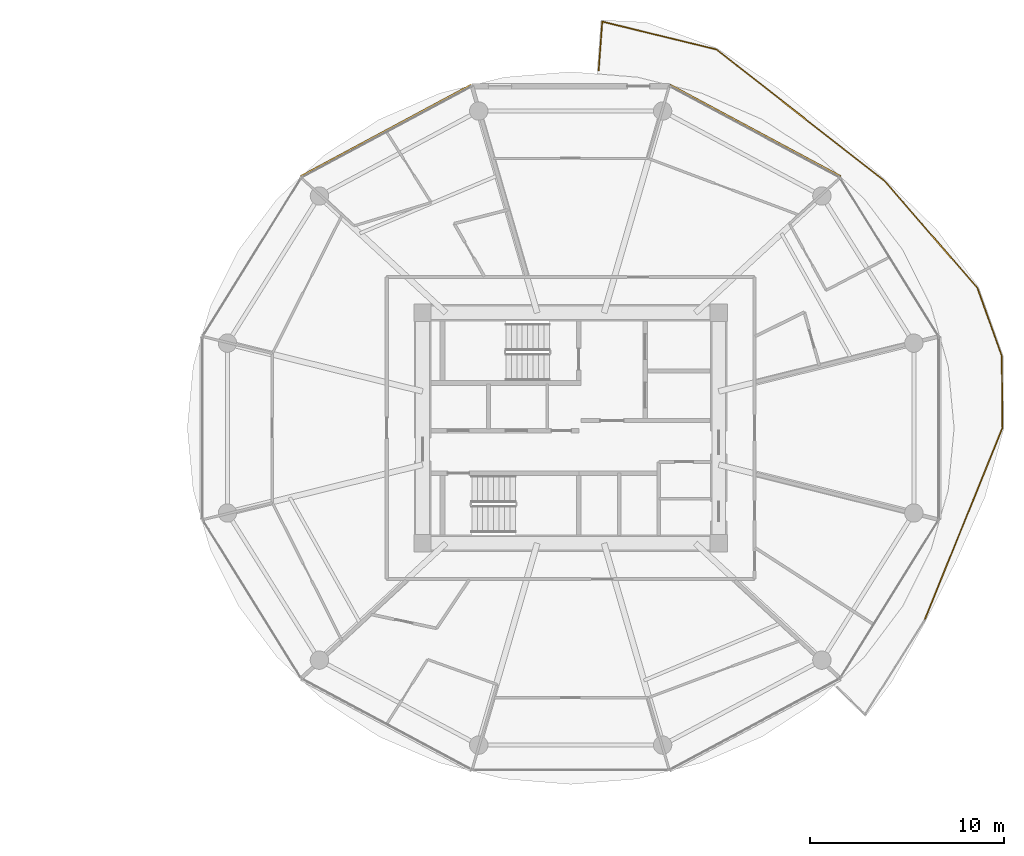
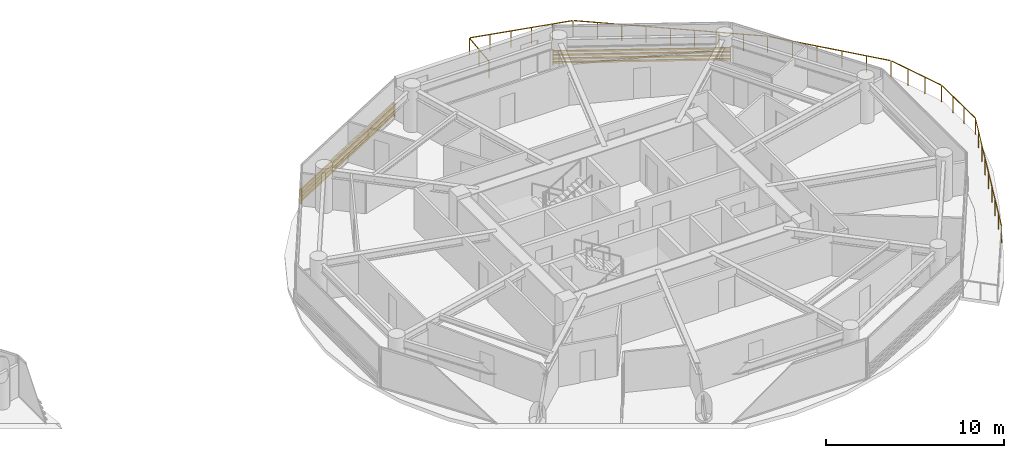
# One storey, part 28 of 28: 2 shading devices, 1 railing.
"""IFC4 building model written with IfcOpenShell, lengths in metres."""

from ifc_helpers import new_model, si_unit, direction, frame, origin, origin_2d, place, context, subcontext, project, spatial, rectangle, extrude, source, transform, mapped, material, type_object, type_shapes, element, save


model = new_model("IFC4")

# Units and contexts
model_context = context("Model", 3, precision=1e-05, world=origin(), true_north=direction((0.0, 1.0)))
body_context = subcontext(model_context, "Body", "Model", "MODEL_VIEW")
ifc_project = project(units=[si_unit("LENGTHUNIT", "METRE"), si_unit("AREAUNIT", "SQUARE_METRE"), si_unit("VOLUMEUNIT", "CUBIC_METRE"), si_unit("PLANEANGLEUNIT", "RADIAN"), si_unit("MASSUNIT", "GRAM", prefix="KILO")], contexts=[model_context])

# Site, building, storey
site_placement = place(None, origin())
site = spatial("IfcSite", under=ifc_project, at=site_placement, CompositionType="ELEMENT")
building_placement = place(site_placement, origin())
building = spatial("IfcBuilding", under=site, at=building_placement, Name="Norrkilde Senior Care Towers", CompositionType="ELEMENT")
storey_placement = place(building_placement, frame((0.0, 0.0, 39.89990234375)))
storey = spatial("IfcBuildingStorey", under=building, at=storey_placement, Name="L11", CompositionType="ELEMENT", Elevation=39.89990234375)

# Railing
ifc_material_1 = material(Name="Anodised Aluminium", Category="aluminium")
railing_type = type_object("IfcRailingType", Name="Balcony Swirl Ribbon Guardrail 1150", PredefinedType="GUARDRAIL", material=ifc_material_1)
railing_placement = place(storey_placement, frame((29.4453125, 18.463134765625, 0.0)))
element("IfcRailing", 1, at=railing_placement, inside=storey, type_object=railing_type, Name="L11 Perimeter Safety Guard 02", PredefinedType="GUARDRAIL", context=body_context, shape_type="SweptSolid", body=[
    extrude(rectangle(XDim=0.048095703125, YDim=0.048095703125, at=origin_2d()), frame((0.0, 0.0, 1.1259765625), z_axis=(0.073765269761, 0.997275631396, 0.0), x_axis=(-0.997275631396, 0.073765269761, 0.0)), (0.0, 0.0, 1.0), 2.494384765625),
    extrude(rectangle(XDim=0.048095703125, YDim=0.048095703125, at=origin_2d()), frame((0.226806640625, 2.5185546875, 1.1259765625), z_axis=(0.971488467961, -0.23708681241, 0.0), x_axis=(0.23708681241, 0.971488467961, 0.0)), (0.0, 0.0, 1.0), 5.984619140625),
    extrude(rectangle(XDim=0.048095703125, YDim=0.048095703125, at=origin_2d()), frame((6.112548828125, 1.06494140625, 1.1259765625), z_axis=(0.787858533367, -0.615856258716, 0.0), x_axis=(0.615856258716, 0.787858533367, 0.0)), (0.0, 0.0, 1.0), 10.945556640625),
    extrude(rectangle(XDim=0.048095703125, YDim=0.048095703125, at=origin_2d()), frame((14.795166015625, -5.732177734375, 1.1259765625), z_axis=(0.655198154144, -0.755457066157, 0.0), x_axis=(0.755457066157, 0.655198154144, 0.0)), (0.0, 0.0, 1.0), 7.245361328125),
    extrude(rectangle(XDim=0.048095703125, YDim=0.048095703125, at=origin_2d()), frame((19.582763671875, -11.275146484375, 1.1259765625), z_axis=(0.336402874895, -0.941718166843, 0.0), x_axis=(0.941718166843, 0.336402874895, 0.0)), (0.0, 0.0, 1.0), 3.640625),
    extrude(rectangle(XDim=0.048095703125, YDim=0.048095703125, at=origin_2d()), frame((20.82177734375, -14.78271484375, 1.1259765625), z_axis=(0.009144956088, -0.999958184015, 0.0), x_axis=(0.999958184015, 0.009144956088, 0.0)), (0.0, 0.0, 1.0), 3.629150390625),
    extrude(rectangle(XDim=0.048095703125, YDim=0.048095703125, at=origin_2d()), frame((20.83984375, -18.490478515625, 1.1259765625), z_axis=(-0.375574869178, -0.92679205739, 0.0), x_axis=(0.92679205739, -0.375574869178, 0.0)), (0.0, 0.0, 1.0), 10.663330078125),
    extrude(rectangle(XDim=0.0419921875, YDim=0.0419921875, at=origin_2d()), origin(), (0.0, 0.0, 1.0), 1.099853515625),
    extrude(rectangle(XDim=0.0419921875, YDim=0.0419921875, at=origin_2d()), frame((0.093505859375, 1.26416015625, 0.0)), (0.0, 0.0, 1.0), 1.099853515625),
    extrude(rectangle(XDim=0.0419921875, YDim=0.0419921875, at=origin_2d()), frame((0.18701171875, 2.5283203125, 0.0)), (0.0, 0.0, 1.0), 1.099853515625),
    extrude(rectangle(XDim=0.0419921875, YDim=0.0419921875, at=origin_2d()), frame((1.36572265625, 2.24072265625, 0.0)), (0.0, 0.0, 1.0), 1.099853515625),
    extrude(rectangle(XDim=0.0419921875, YDim=0.0419921875, at=origin_2d()), frame((2.54443359375, 1.953125, 0.0)), (0.0, 0.0, 1.0), 1.099853515625),
    extrude(rectangle(XDim=0.0419921875, YDim=0.0419921875, at=origin_2d()), frame((3.722900390625, 1.665283203125, 0.0)), (0.0, 0.0, 1.0), 1.099853515625),
    extrude(rectangle(XDim=0.0419921875, YDim=0.0419921875, at=origin_2d()), frame((4.901611328125, 1.377685546875, 0.0)), (0.0, 0.0, 1.0), 1.099853515625),
    extrude(rectangle(XDim=0.0419921875, YDim=0.0419921875, at=origin_2d()), frame((6.080322265625, 1.090087890625, 0.0)), (0.0, 0.0, 1.0), 1.099853515625),
    extrude(rectangle(XDim=0.0419921875, YDim=0.0419921875, at=origin_2d()), frame((7.166259765625, 0.2412109375, 0.0)), (0.0, 0.0, 1.0), 1.099853515625),
    extrude(rectangle(XDim=0.0419921875, YDim=0.0419921875, at=origin_2d()), frame((8.25244140625, -0.607666015625, 0.0)), (0.0, 0.0, 1.0), 1.099853515625),
    extrude(rectangle(XDim=0.0419921875, YDim=0.0419921875, at=origin_2d()), frame((9.33837890625, -1.45654296875, 0.0)), (0.0, 0.0, 1.0), 1.099853515625),
    extrude(rectangle(XDim=0.0419921875, YDim=0.0419921875, at=origin_2d()), frame((10.42431640625, -2.3056640625, 0.0)), (0.0, 0.0, 1.0), 1.099853515625),
    extrude(rectangle(XDim=0.0419921875, YDim=0.0419921875, at=origin_2d()), frame((11.51025390625, -3.154541015625, 0.0)), (0.0, 0.0, 1.0), 1.099853515625),
    extrude(rectangle(XDim=0.0419921875, YDim=0.0419921875, at=origin_2d()), frame((12.59619140625, -4.00341796875, 0.0)), (0.0, 0.0, 1.0), 1.099853515625),
    extrude(rectangle(XDim=0.0419921875, YDim=0.0419921875, at=origin_2d()), frame((13.682373046875, -4.852294921875, 0.0)), (0.0, 0.0, 1.0), 1.099853515625),
    extrude(rectangle(XDim=0.0419921875, YDim=0.0419921875, at=origin_2d()), frame((14.768310546875, -5.701171875, 0.0)), (0.0, 0.0, 1.0), 1.099853515625),
    extrude(rectangle(XDim=0.0419921875, YDim=0.0419921875, at=origin_2d()), frame((15.728515625, -6.808349609375, 0.0)), (0.0, 0.0, 1.0), 1.099853515625),
    extrude(rectangle(XDim=0.0419921875, YDim=0.0419921875, at=origin_2d()), frame((16.688720703125, -7.915283203125, 0.0)), (0.0, 0.0, 1.0), 1.099853515625),
    extrude(rectangle(XDim=0.0419921875, YDim=0.0419921875, at=origin_2d()), frame((17.648681640625, -9.0224609375, 0.0)), (0.0, 0.0, 1.0), 1.099853515625),
    extrude(rectangle(XDim=0.0419921875, YDim=0.0419921875, at=origin_2d()), frame((18.60888671875, -10.12939453125, 0.0)), (0.0, 0.0, 1.0), 1.099853515625),
    extrude(rectangle(XDim=0.0419921875, YDim=0.0419921875, at=origin_2d()), frame((19.569091796875, -11.236572265625, 0.0)), (0.0, 0.0, 1.0), 1.099853515625),
    extrude(rectangle(XDim=0.0419921875, YDim=0.0419921875, at=origin_2d()), frame((19.986572265625, -12.405029296875, 0.0)), (0.0, 0.0, 1.0), 1.099853515625),
    extrude(rectangle(XDim=0.0419921875, YDim=0.0419921875, at=origin_2d()), frame((20.40380859375, -13.573486328125, 0.0)), (0.0, 0.0, 1.0), 1.099853515625),
    extrude(rectangle(XDim=0.0419921875, YDim=0.0419921875, at=origin_2d()), frame((20.8212890625, -14.741943359375, 0.0)), (0.0, 0.0, 1.0), 1.099853515625),
    extrude(rectangle(XDim=0.0419921875, YDim=0.0419921875, at=origin_2d()), frame((20.83251953125, -15.978759765625, 0.0)), (0.0, 0.0, 1.0), 1.099853515625),
    extrude(rectangle(XDim=0.0419921875, YDim=0.0419921875, at=origin_2d()), frame((20.843994140625, -17.2158203125, 0.0)), (0.0, 0.0, 1.0), 1.099853515625),
    extrude(rectangle(XDim=0.0419921875, YDim=0.0419921875, at=origin_2d()), frame((20.855224609375, -18.45263671875, 0.0)), (0.0, 0.0, 1.0), 1.099853515625),
    extrude(rectangle(XDim=0.0419921875, YDim=0.0419921875, at=origin_2d()), frame((20.352783203125, -19.692626953125, 0.0)), (0.0, 0.0, 1.0), 1.099853515625),
    extrude(rectangle(XDim=0.0419921875, YDim=0.0419921875, at=origin_2d()), frame((19.85009765625, -20.932861328125, 0.0)), (0.0, 0.0, 1.0), 1.099853515625),
    extrude(rectangle(XDim=0.0419921875, YDim=0.0419921875, at=origin_2d()), frame((19.34765625, -22.1728515625, 0.0)), (0.0, 0.0, 1.0), 1.099853515625),
    extrude(rectangle(XDim=0.0419921875, YDim=0.0419921875, at=origin_2d()), frame((18.84521484375, -23.4130859375, 0.0)), (0.0, 0.0, 1.0), 1.099853515625),
    extrude(rectangle(XDim=0.0419921875, YDim=0.0419921875, at=origin_2d()), frame((18.342529296875, -24.653076171875, 0.0)), (0.0, 0.0, 1.0), 1.099853515625),
    extrude(rectangle(XDim=0.0419921875, YDim=0.0419921875, at=origin_2d()), frame((17.840087890625, -25.89306640625, 0.0)), (0.0, 0.0, 1.0), 1.099853515625),
    extrude(rectangle(XDim=0.0419921875, YDim=0.0419921875, at=origin_2d()), frame((17.33740234375, -27.13330078125, 0.0)), (0.0, 0.0, 1.0), 1.099853515625),
    extrude(rectangle(XDim=0.0419921875, YDim=0.0419921875, at=origin_2d()), frame((16.8349609375, -28.373291015625, 0.0)), (0.0, 0.0, 1.0), 1.099853515625),
])

# Shading devices
ifc_material_2 = material(Name="Architectural Terracotta", Category="masonry")
shading_device_type = type_object("IfcShadingDeviceType", Name="Horizontal Terracotta Baguette Rack", PredefinedType="USERDEFINED", material=ifc_material_2)
shared_shape = source(origin(), body_context, "Body", "SweptSolid", [
    extrude(rectangle(XDim=0.070068359375, YDim=0.110107421875, at=origin_2d()), frame((0.0, 0.090087890625, 0.125), z_axis=(1.0, 0.0, 0.0), x_axis=(0.0, 1.0, 0.0)), (0.0, 0.0, 1.0), 10.0107421875),
    extrude(rectangle(XDim=0.070068359375, YDim=0.110107421875, at=origin_2d()), frame((0.0, 0.090087890625, 0.375), z_axis=(1.0, 0.0, 0.0), x_axis=(0.0, 1.0, 0.0)), (0.0, 0.0, 1.0), 10.0107421875),
    extrude(rectangle(XDim=0.070068359375, YDim=0.110107421875, at=origin_2d()), frame((0.0, 0.090087890625, 0.625), z_axis=(1.0, 0.0, 0.0), x_axis=(0.0, 1.0, 0.0)), (0.0, 0.0, 1.0), 10.0107421875),
    extrude(rectangle(XDim=0.070068359375, YDim=0.110107421875, at=origin_2d()), frame((0.0, 0.090087890625, 0.875), z_axis=(1.0, 0.0, 0.0), x_axis=(0.0, 1.0, 0.0)), (0.0, 0.0, 1.0), 10.0107421875),
    extrude(rectangle(XDim=0.050048828125, YDim=0.1552734375, at=origin_2d()), frame((0.02490234375, 0.047607421875, 0.0)), (0.0, 0.0, 1.0), 1.0),
    extrude(rectangle(XDim=0.050048828125, YDim=0.1552734375, at=origin_2d()), frame((9.98583984375, 0.047607421875, 0.0)), (0.0, 0.0, 1.0), 1.0),
])
type_shapes(shading_device_type, [shared_shape])
for number, where, z_axis, x_axis, name in (
    (2, (33.093505859375, 17.6572265625, 0.080078125), (0.0, 0.0, 1.0), (0.881279875134, -0.472612428056, 0.0), "L11 Drum E Terracotta Baguette Screen 01"),
    (3, (14.084228515625, 12.926025390625, 0.080078125), (0.0, 0.0, 1.0), (0.881279875134, 0.472612428056, 0.0), "L11 Drum E Terracotta Baguette Screen 03"),
):
    element("IfcShadingDevice", number, at=place(storey_placement, frame(where, z_axis=z_axis, x_axis=x_axis)), inside=storey, type_object=shading_device_type, Name=name, ObjectType="BAGUETTE", PredefinedType="USERDEFINED", context=body_context, shape_type="MappedRepresentation", body=[
        mapped(shared_shape, transform((0.0, 0.0, 0.0), x_axis=(1.0, 0.0, 0.0), y_axis=(0.0, 1.0, 0.0), z_axis=(0.0, 0.0, 1.0), scale=1.0)),
    ])

save(model, "model.ifc")
